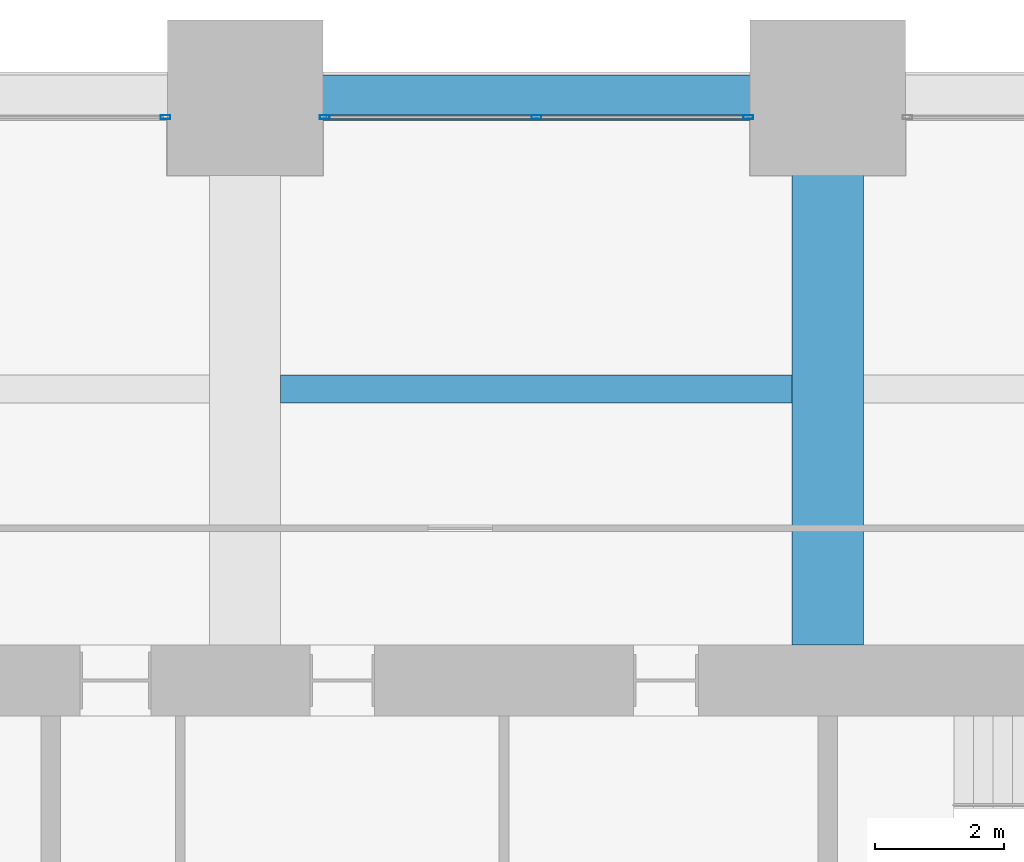
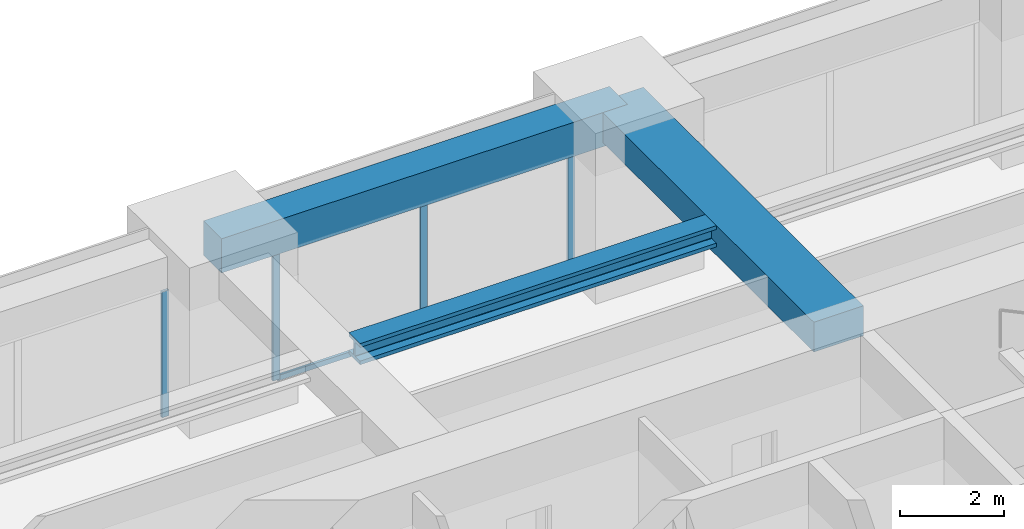
# One storey, part 25 of 33: 5 members, 3 beams, 2 elements without a shape of their own.
"""IFC4 building model written with IfcOpenShell, lengths in metres."""

from ifc_helpers import new_model, si_unit, direction, frame, origin, origin_2d, place, context, subcontext, project, spatial, rectangle, hollow_rectangle, i_section, extrude, material, material_profile, profile_set, type_object, element, aggregate, save


model = new_model("IFC4")

# Units and contexts
model_context = context("Model", 3, precision=1e-05, world=origin(), true_north=direction((0.0, 1.0)))
body_context = subcontext(model_context, "Body", "Model", "MODEL_VIEW")
ifc_project = project(units=[si_unit("LENGTHUNIT", "METRE"), si_unit("AREAUNIT", "SQUARE_METRE"), si_unit("VOLUMEUNIT", "CUBIC_METRE"), si_unit("PLANEANGLEUNIT", "RADIAN"), si_unit("MASSUNIT", "GRAM", prefix="KILO")], contexts=[model_context])

# Site, building, storey
site_placement = place(None, origin())
site = spatial("IfcSite", under=ifc_project, at=site_placement, CompositionType="ELEMENT")
building_placement = place(site_placement, origin())
building = spatial("IfcBuilding", under=site, at=building_placement, Name="Zorevar Civic Tower", CompositionType="ELEMENT")
storey_placement = place(building_placement, frame((0.0, 0.0, 178.199951171875)))
storey = spatial("IfcBuildingStorey", under=building, at=storey_placement, Name="L43", CompositionType="ELEMENT", Elevation=178.199951171875)

# Beam
ifc_material_1 = material(Name="Concrete C50/60", Category="concrete")
ifc_material_profile_1 = material_profile(ifc_material_1, rectangle(XDim=1.10009765625, YDim=0.699951171875, at=origin_2d()), Name="RC 1100x700")
ifc_profile_set_1 = profile_set([ifc_material_profile_1], Name="Concrete C50/60")
beam_type_1 = type_object("IfcBeamType", Name="Beam RC 1100x700", PredefinedType="BEAM", material=ifc_profile_set_1)
beam_1_placement = place(storey_placement, frame((36.0, 36.550048828125, 3.400146484375), z_axis=(0.0, 1.0, 0.0), x_axis=(-1.0, 0.0, 0.0)))
element("IfcBeam", 1, at=beam_1_placement, inside=storey, type_object=beam_type_1, Name="Girder L44", PredefinedType="BEAM", context=body_context, shape_type="SweptSolid", body=[
    extrude(rectangle(XDim=1.10009765625, YDim=0.699951171875, at=origin_2d()), origin(), (0.0, 0.0, 1.0), 8.449951171875),
])

# Curtain wall, member
ifc_material_2 = material(Name="Dark grey solar-control glass in black aluminium frame", Category="aluminium")
curtain_wall_type = type_object("IfcCurtainWallType", Name="Curtain wall CW4 high zone", PredefinedType="NOTDEFINED", material=ifc_material_2)
curtain_wall_1_placement = place(storey_placement, origin())
curtain_wall_1 = element("IfcCurtainWall", 2, at=curtain_wall_1_placement, inside=storey, type_object=curtain_wall_type, Name="CW4 L43", PredefinedType="NOTDEFINED")
ifc_material_3 = material(Name="Aluminium, black anodised", Category="aluminium")
ifc_material_profile_2 = material_profile(ifc_material_3, hollow_rectangle(XDim=0.06005859375, YDim=0.14990234375, WallThickness=0.00390625, at=origin_2d()), Name="AL 150x60x4")
ifc_profile_set_2 = profile_set([ifc_material_profile_2], Name="Aluminium, black anodised")
member_type_1 = type_object("IfcMemberType", Name="CW4 mullion AL 150x60x4", PredefinedType="MULLION", material=ifc_profile_set_2)
member_1_placement = place(storey_placement, frame((25.77001953125, 44.699951171875, 0.0), z_axis=(0.0, 0.0, 1.0), x_axis=(0.0, 1.0, 0.0)))
member_1 = element("IfcMember", 3, at=member_1_placement, type_object=member_type_1, Name="CW4 mullion 3", PredefinedType="MULLION", context=body_context, shape_type="SweptSolid", body=[
    extrude(hollow_rectangle(XDim=0.06005859375, YDim=0.14990234375, WallThickness=0.00390625, at=origin_2d()), origin(), (0.0, 0.0, 1.0), 2.949951171875),
])
aggregate(curtain_wall_1, [member_1])

# Curtain wall, members
curtain_wall_2_placement = place(storey_placement, origin())
curtain_wall_2 = element("IfcCurtainWall", 4, at=curtain_wall_2_placement, inside=storey, type_object=curtain_wall_type, Name="CW4 L43", PredefinedType="NOTDEFINED")
member_2_placement = place(storey_placement, frame((28.22998046875, 44.699951171875, 0.0), z_axis=(0.0, 0.0, 1.0), x_axis=(0.0, 1.0, 0.0)))
member_2 = element("IfcMember", 5, at=member_2_placement, type_object=member_type_1, Name="CW4 mullion 1", PredefinedType="MULLION", context=body_context, shape_type="SweptSolid", body=[
    extrude(hollow_rectangle(XDim=0.06005859375, YDim=0.14990234375, WallThickness=0.00390625, at=origin_2d()), origin(), (0.0, 0.0, 1.0), 2.949951171875),
])
member_3_placement = place(storey_placement, frame((31.5, 44.699951171875, 0.06005859375), z_axis=(0.0, 0.0, 1.0), x_axis=(0.0, 1.0, 0.0)))
member_3 = element("IfcMember", 6, at=member_3_placement, type_object=member_type_1, Name="CW4 mullion 2", PredefinedType="MULLION", context=body_context, shape_type="SweptSolid", body=[
    extrude(hollow_rectangle(XDim=0.06005859375, YDim=0.14990234375, WallThickness=0.00390625, at=origin_2d()), origin(), (0.0, 0.0, 1.0), 2.889892578125),
])
member_4_placement = place(storey_placement, frame((34.77001953125, 44.699951171875, 0.0), z_axis=(0.0, 0.0, 1.0), x_axis=(0.0, 1.0, 0.0)))
member_4 = element("IfcMember", 7, at=member_4_placement, type_object=member_type_1, Name="CW4 mullion 3", PredefinedType="MULLION", context=body_context, shape_type="SweptSolid", body=[
    extrude(hollow_rectangle(XDim=0.06005859375, YDim=0.14990234375, WallThickness=0.00390625, at=origin_2d()), origin(), (0.0, 0.0, 1.0), 2.949951171875),
])
ifc_material_4 = material(Name="Aluminium, black anodised", Category="aluminium")
ifc_material_profile_3 = material_profile(ifc_material_4, hollow_rectangle(XDim=0.06005859375, YDim=0.1201171875, WallThickness=0.0029296875, at=origin_2d()), Name="AL 120x60x3")
ifc_profile_set_3 = profile_set([ifc_material_profile_3], Name="Aluminium, black anodised")
member_type_2 = type_object("IfcMemberType", Name="CW4 transom AL 120x60x3", PredefinedType="USERDEFINED", material=ifc_profile_set_3)
member_5_placement = place(storey_placement, frame((28.260009765625, 44.699951171875, 0.030029296875), z_axis=(1.0, 0.0, 0.0), x_axis=(0.0, 1.0, 0.0)))
member_5 = element("IfcMember", 8, at=member_5_placement, type_object=member_type_2, Name="CW4 sill transom", ObjectType="TRANSOM", PredefinedType="USERDEFINED", context=body_context, shape_type="SweptSolid", body=[
    extrude(hollow_rectangle(XDim=0.06005859375, YDim=0.1201171875, WallThickness=0.0029296875, at=origin_2d()), origin(), (0.0, 0.0, 1.0), 6.47998046875),
])
aggregate(curtain_wall_2, [member_2, member_3, member_4, member_5])

# Beams
ifc_material_5 = material(Name="Steel S460M (HISTAR 460)", Category="steel")
ifc_material_profile_4 = material_profile(ifc_material_5, i_section(OverallWidth=0.431884765625, OverallDepth=0.498046875, WebThickness=0.0556640625, FlangeThickness=0.0888671875, FilletRadius=0.014892578125, at=origin_2d()), Name="HD 400x744")
ifc_profile_set_4 = profile_set([ifc_material_profile_4], Name="Steel S460M (HISTAR 460)")
beam_type_2 = type_object("IfcBeamType", Name="Core bay beam HD 400x744", PredefinedType="BEAM", material=ifc_profile_set_4)
beam_2_placement = place(storey_placement, frame((27.550048828125, 40.5, 3.5009765625), z_axis=(1.0, 0.0, 0.0), x_axis=(0.0, 1.0, 0.0)))
element("IfcBeam", 9, at=beam_2_placement, inside=storey, type_object=beam_type_2, Name="Secondary beam L44", PredefinedType="BEAM", context=body_context, shape_type="SweptSolid", body=[
    extrude(i_section(OverallWidth=0.431884765625, OverallDepth=0.498046875, WebThickness=0.0556640625, FlangeThickness=0.0888671875, FilletRadius=0.014892578125, at=origin_2d()), origin(), (0.0, 0.0, 1.0), 7.89990234375),
])
ifc_material_6 = material(Name="Concrete C50/60", Category="concrete")
ifc_material_profile_5 = material_profile(ifc_material_6, rectangle(XDim=0.699951171875, YDim=0.800048828125, at=origin_2d()), Name="RC 700x800")
ifc_profile_set_5 = profile_set([ifc_material_profile_5], Name="Concrete C50/60")
beam_type_3 = type_object("IfcBeamType", Name="Edge beam RC 700x800", PredefinedType="SPANDREL", material=ifc_profile_set_5)
beam_3_placement = place(storey_placement, frame((27.0, 45.0, 3.35009765625), z_axis=(1.0, 0.0, 0.0), x_axis=(0.0, 1.0, 0.0)))
element("IfcBeam", 10, at=beam_3_placement, inside=storey, type_object=beam_type_3, Name="Edge beam L44", PredefinedType="SPANDREL", context=body_context, shape_type="SweptSolid", body=[
    extrude(rectangle(XDim=0.699951171875, YDim=0.800048828125, at=origin_2d()), origin(), (0.0, 0.0, 1.0), 9.0),
])

save(model, "model.ifc")
